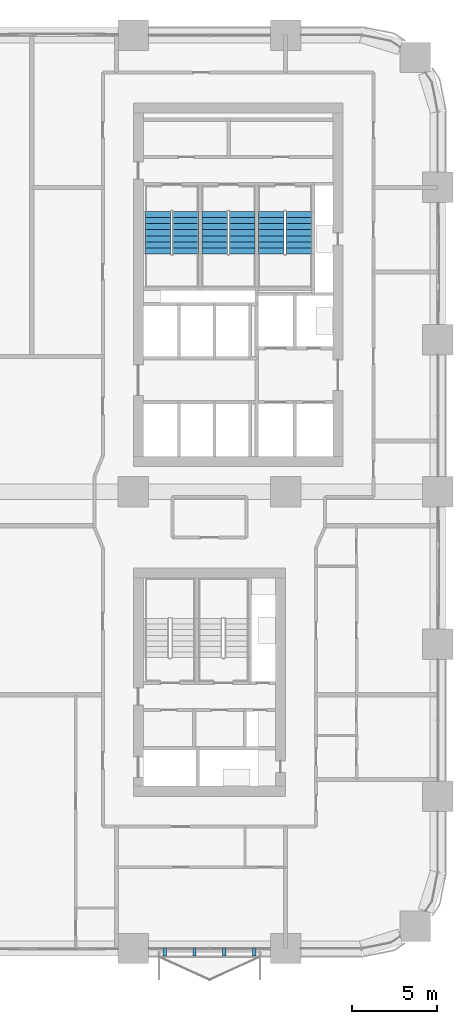
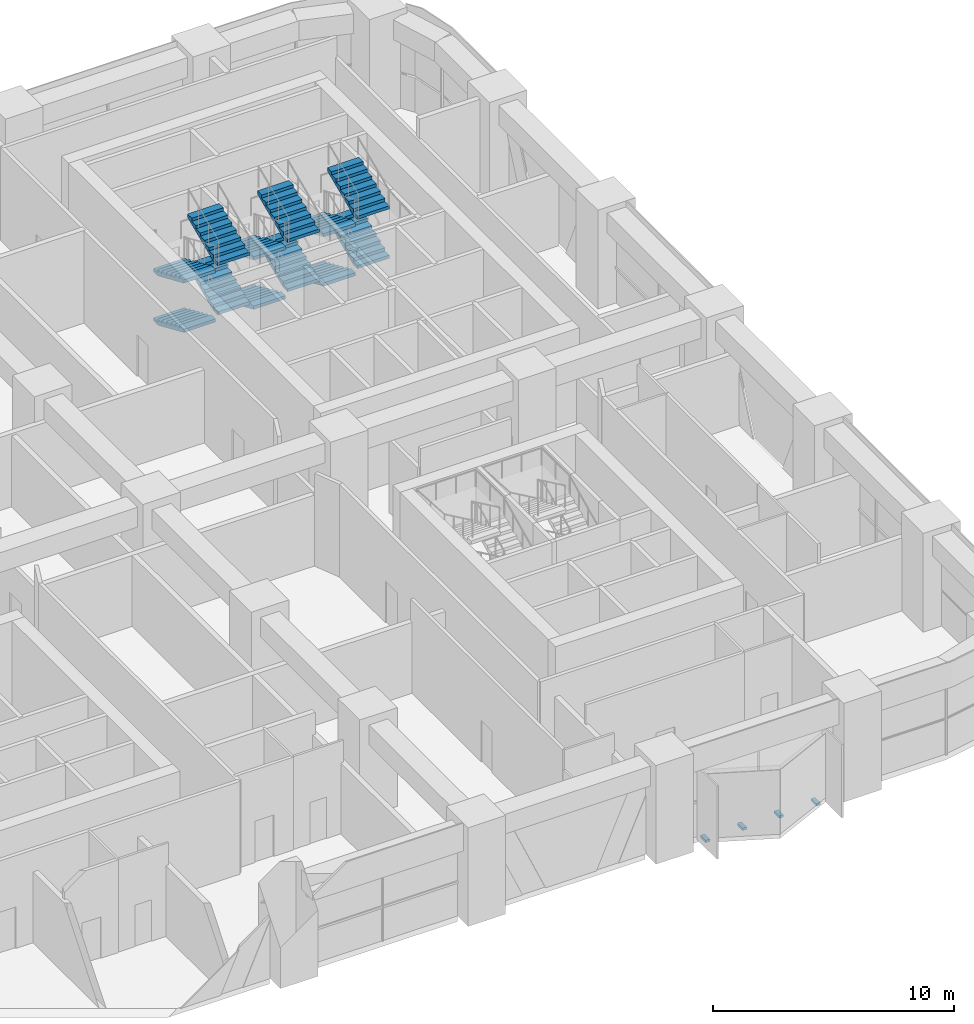
# One storey, part 22 of 26: 12 stair flights, 4 discrete accessories, 3 elements without a shape of their own.
"""IFC4 building model written with IfcOpenShell, lengths in metres."""

from ifc_helpers import new_model, si_unit, direction, frame, origin, origin_2d, place, context, subcontext, project, spatial, polyline, rectangle, outline, extrude, material, type_object, element, aggregate, save


model = new_model("IFC4")

# Units and contexts
model_context = context("Model", 3, precision=1e-05, world=origin(), true_north=direction((0.0, 1.0)))
body_context = subcontext(model_context, "Body", "Model", "MODEL_VIEW")
ifc_project = project(units=[si_unit("LENGTHUNIT", "METRE"), si_unit("AREAUNIT", "SQUARE_METRE"), si_unit("VOLUMEUNIT", "CUBIC_METRE"), si_unit("PLANEANGLEUNIT", "RADIAN"), si_unit("MASSUNIT", "GRAM", prefix="KILO")], contexts=[model_context])

# Site, building, storey
site_placement = place(None, origin())
site = spatial("IfcSite", under=ifc_project, at=site_placement, CompositionType="ELEMENT")
building_placement = place(site_placement, origin())
building = spatial("IfcBuilding", under=site, at=building_placement, Name="Tessera Arch", CompositionType="ELEMENT")
storey_placement = place(building_placement, frame((0.0, 0.0, 72.800048828125)))
storey = spatial("IfcBuildingStorey", under=building, at=storey_placement, Name="L16", CompositionType="ELEMENT", Elevation=72.800048828125)

# Stair, stair flights
ifc_material_1 = material(Name="Concrete C40/50", Category="concrete")
stair_type = type_object("IfcStairType", Name="Dogleg stair 1520", PredefinedType="HALF_TURN_STAIR", material=ifc_material_1)
stair_1_placement = place(storey_placement, origin())
stair_1 = element("IfcStair", 1, at=stair_1_placement, inside=storey, type_object=stair_type, Name="L16 S1a", PredefinedType="HALF_TURN_STAIR")
ifc_material_2 = material(Name="Concrete C40/50", Category="concrete")
stair_flight_type = type_object("IfcStairFlightType", Name="Stair flight 1520", PredefinedType="STRAIGHT", material=ifc_material_2)
stair_flight_1_placement = place(storey_placement, frame((37.4599609375, 43.580078125, 0.0), z_axis=(0.0, 0.0, 1.0), x_axis=(0.0, -1.0, 0.0)))
stair_flight_1 = element("IfcStairFlight", 2, at=stair_flight_1_placement, type_object=stair_flight_type, Name="S1a flight 1", NumberOfRisers=8, NumberOfTreads=7, PredefinedType="STRAIGHT", RiserHeight=0.15625, TreadLength=0.36, context=body_context, shape_type="SweptSolid", body=[
    extrude(outline(polyline([(0.0, 0.0), (0.0, 0.15625), (0.360107421875, 0.15625), (0.360107421875, 0.3125), (0.719970703125, 0.3125), (0.719970703125, 0.46875), (1.080078125, 0.46875), (1.080078125, 0.625), (1.43994140625, 0.625), (1.43994140625, 0.78125), (1.800048828125, 0.78125), (1.800048828125, 0.9375), (2.159912109375, 0.9375), (2.159912109375, 1.09375), (2.52001953125, 1.09375), (2.52001953125, 1.25), (2.52001953125, 0.930419921875), (0.37646484375, 0.0), (0.0, 0.0)])), frame((0.0, 0.760009765625, 0.0), z_axis=(0.0, -1.0, 0.0), x_axis=(1.0, 0.0, 0.0)), (0.0, 0.0, 1.0), 1.52001953125),
])
stair_flight_2_placement = place(storey_placement, frame((39.090087890625, 41.06005859375, 1.25), z_axis=(0.0, 0.0, 1.0), x_axis=(0.0, 1.0, 0.0)))
stair_flight_2 = element("IfcStairFlight", 3, at=stair_flight_2_placement, type_object=stair_flight_type, Name="S1a flight 2", NumberOfRisers=8, NumberOfTreads=7, PredefinedType="STRAIGHT", RiserHeight=0.15625, TreadLength=0.36, context=body_context, shape_type="SweptSolid", body=[
    extrude(outline(polyline([(0.0, 0.0), (0.0, 0.15625), (0.360107421875, 0.15625), (0.360107421875, 0.3125), (0.719970703125, 0.3125), (0.719970703125, 0.46875), (1.080078125, 0.46875), (1.080078125, 0.625), (1.43994140625, 0.625), (1.43994140625, 0.78125), (1.800048828125, 0.78125), (1.800048828125, 0.9375), (2.159912109375, 0.9375), (2.159912109375, 1.09375), (2.52001953125, 1.09375), (2.52001953125, 1.25), (2.52001953125, 0.930419921875), (0.37646484375, 0.0), (0.0, 0.0)])), frame((0.0, 0.760009765625, 0.0), z_axis=(0.0, -1.0, 0.0), x_axis=(1.0, 0.0, 0.0)), (0.0, 0.0, 1.0), 1.52001953125),
])
stair_flight_3_placement = place(storey_placement, frame((37.4599609375, 43.580078125, 2.5), z_axis=(0.0, 0.0, 1.0), x_axis=(0.0, -1.0, 0.0)))
stair_flight_3 = element("IfcStairFlight", 4, at=stair_flight_3_placement, type_object=stair_flight_type, Name="S1a flight 3", NumberOfRisers=8, NumberOfTreads=7, PredefinedType="STRAIGHT", RiserHeight=0.15625, TreadLength=0.36, context=body_context, shape_type="SweptSolid", body=[
    extrude(outline(polyline([(0.0, 0.0), (0.0, 0.15625), (0.360107421875, 0.15625), (0.360107421875, 0.3125), (0.719970703125, 0.3125), (0.719970703125, 0.46875), (1.080078125, 0.46875), (1.080078125, 0.625), (1.43994140625, 0.625), (1.43994140625, 0.78125), (1.800048828125, 0.78125), (1.800048828125, 0.9375), (2.159912109375, 0.9375), (2.159912109375, 1.09375), (2.52001953125, 1.09375), (2.52001953125, 1.25), (2.52001953125, 0.930419921875), (0.37646484375, 0.0), (0.0, 0.0)])), frame((0.0, 0.760009765625, 0.0), z_axis=(0.0, -1.0, 0.0), x_axis=(1.0, 0.0, 0.0)), (0.0, 0.0, 1.0), 1.52001953125),
])
stair_flight_4_placement = place(storey_placement, frame((39.090087890625, 41.06005859375, 3.75), z_axis=(0.0, 0.0, 1.0), x_axis=(0.0, 1.0, 0.0)))
stair_flight_4 = element("IfcStairFlight", 5, at=stair_flight_4_placement, type_object=stair_flight_type, Name="S1a flight 4", NumberOfRisers=8, NumberOfTreads=7, PredefinedType="STRAIGHT", RiserHeight=0.15625, TreadLength=0.36, context=body_context, shape_type="SweptSolid", body=[
    extrude(outline(polyline([(0.0, 0.0), (0.0, 0.15625), (0.360107421875, 0.15625), (0.360107421875, 0.3125), (0.719970703125, 0.3125), (0.719970703125, 0.46875), (1.080078125, 0.46875), (1.080078125, 0.625), (1.43994140625, 0.625), (1.43994140625, 0.78125), (1.800048828125, 0.78125), (1.800048828125, 0.9375), (2.159912109375, 0.9375), (2.159912109375, 1.09375), (2.52001953125, 1.09375), (2.52001953125, 1.25), (2.52001953125, 0.930419921875), (0.37646484375, 0.0), (0.0, 0.0)])), frame((0.0, 0.760009765625, 0.0), z_axis=(0.0, -1.0, 0.0), x_axis=(1.0, 0.0, 0.0)), (0.0, 0.0, 1.0), 1.52001953125),
])
aggregate(stair_1, [stair_flight_1, stair_flight_2, stair_flight_3, stair_flight_4])

stair_2_placement = place(storey_placement, origin())
stair_2 = element("IfcStair", 6, at=stair_2_placement, inside=storey, type_object=stair_type, Name="L16 S1b", PredefinedType="HALF_TURN_STAIR")
stair_flight_5_placement = place(storey_placement, frame((40.81005859375, 43.580078125, 0.0), z_axis=(0.0, 0.0, 1.0), x_axis=(0.0, -1.0, 0.0)))
stair_flight_5 = element("IfcStairFlight", 7, at=stair_flight_5_placement, type_object=stair_flight_type, Name="S1b flight 1", NumberOfRisers=8, NumberOfTreads=7, PredefinedType="STRAIGHT", RiserHeight=0.15625, TreadLength=0.36, context=body_context, shape_type="SweptSolid", body=[
    extrude(outline(polyline([(0.0, 0.0), (0.0, 0.15625), (0.360107421875, 0.15625), (0.360107421875, 0.3125), (0.719970703125, 0.3125), (0.719970703125, 0.46875), (1.080078125, 0.46875), (1.080078125, 0.625), (1.43994140625, 0.625), (1.43994140625, 0.78125), (1.800048828125, 0.78125), (1.800048828125, 0.9375), (2.159912109375, 0.9375), (2.159912109375, 1.09375), (2.52001953125, 1.09375), (2.52001953125, 1.25), (2.52001953125, 0.930419921875), (0.37646484375, 0.0), (0.0, 0.0)])), frame((0.0, 0.760009765625, 0.0), z_axis=(0.0, -1.0, 0.0), x_axis=(1.0, 0.0, 0.0)), (0.0, 0.0, 1.0), 1.52001953125),
])
stair_flight_6_placement = place(storey_placement, frame((42.43994140625, 41.06005859375, 1.25), z_axis=(0.0, 0.0, 1.0), x_axis=(0.0, 1.0, 0.0)))
stair_flight_6 = element("IfcStairFlight", 8, at=stair_flight_6_placement, type_object=stair_flight_type, Name="S1b flight 2", NumberOfRisers=8, NumberOfTreads=7, PredefinedType="STRAIGHT", RiserHeight=0.15625, TreadLength=0.36, context=body_context, shape_type="SweptSolid", body=[
    extrude(outline(polyline([(0.0, 0.0), (0.0, 0.15625), (0.360107421875, 0.15625), (0.360107421875, 0.3125), (0.719970703125, 0.3125), (0.719970703125, 0.46875), (1.080078125, 0.46875), (1.080078125, 0.625), (1.43994140625, 0.625), (1.43994140625, 0.78125), (1.800048828125, 0.78125), (1.800048828125, 0.9375), (2.159912109375, 0.9375), (2.159912109375, 1.09375), (2.52001953125, 1.09375), (2.52001953125, 1.25), (2.52001953125, 0.930419921875), (0.37646484375, 0.0), (0.0, 0.0)])), frame((0.0, 0.760009765625, 0.0), z_axis=(0.0, -1.0, 0.0), x_axis=(1.0, 0.0, 0.0)), (0.0, 0.0, 1.0), 1.52001953125),
])
stair_flight_7_placement = place(storey_placement, frame((40.81005859375, 43.580078125, 2.5), z_axis=(0.0, 0.0, 1.0), x_axis=(0.0, -1.0, 0.0)))
stair_flight_7 = element("IfcStairFlight", 9, at=stair_flight_7_placement, type_object=stair_flight_type, Name="S1b flight 3", NumberOfRisers=8, NumberOfTreads=7, PredefinedType="STRAIGHT", RiserHeight=0.15625, TreadLength=0.36, context=body_context, shape_type="SweptSolid", body=[
    extrude(outline(polyline([(0.0, 0.0), (0.0, 0.15625), (0.360107421875, 0.15625), (0.360107421875, 0.3125), (0.719970703125, 0.3125), (0.719970703125, 0.46875), (1.080078125, 0.46875), (1.080078125, 0.625), (1.43994140625, 0.625), (1.43994140625, 0.78125), (1.800048828125, 0.78125), (1.800048828125, 0.9375), (2.159912109375, 0.9375), (2.159912109375, 1.09375), (2.52001953125, 1.09375), (2.52001953125, 1.25), (2.52001953125, 0.930419921875), (0.37646484375, 0.0), (0.0, 0.0)])), frame((0.0, 0.760009765625, 0.0), z_axis=(0.0, -1.0, 0.0), x_axis=(1.0, 0.0, 0.0)), (0.0, 0.0, 1.0), 1.52001953125),
])
stair_flight_8_placement = place(storey_placement, frame((42.43994140625, 41.06005859375, 3.75), z_axis=(0.0, 0.0, 1.0), x_axis=(0.0, 1.0, 0.0)))
stair_flight_8 = element("IfcStairFlight", 10, at=stair_flight_8_placement, type_object=stair_flight_type, Name="S1b flight 4", NumberOfRisers=8, NumberOfTreads=7, PredefinedType="STRAIGHT", RiserHeight=0.15625, TreadLength=0.36, context=body_context, shape_type="SweptSolid", body=[
    extrude(outline(polyline([(0.0, 0.0), (0.0, 0.15625), (0.360107421875, 0.15625), (0.360107421875, 0.3125), (0.719970703125, 0.3125), (0.719970703125, 0.46875), (1.080078125, 0.46875), (1.080078125, 0.625), (1.43994140625, 0.625), (1.43994140625, 0.78125), (1.800048828125, 0.78125), (1.800048828125, 0.9375), (2.159912109375, 0.9375), (2.159912109375, 1.09375), (2.52001953125, 1.09375), (2.52001953125, 1.25), (2.52001953125, 0.930419921875), (0.37646484375, 0.0), (0.0, 0.0)])), frame((0.0, 0.760009765625, 0.0), z_axis=(0.0, -1.0, 0.0), x_axis=(1.0, 0.0, 0.0)), (0.0, 0.0, 1.0), 1.52001953125),
])
aggregate(stair_2, [stair_flight_5, stair_flight_6, stair_flight_7, stair_flight_8])

stair_3_placement = place(storey_placement, origin())
stair_3 = element("IfcStair", 11, at=stair_3_placement, inside=storey, type_object=stair_type, Name="L16 S1c", PredefinedType="HALF_TURN_STAIR")
stair_flight_9_placement = place(storey_placement, frame((44.159912109375, 43.580078125, 0.0), z_axis=(0.0, 0.0, 1.0), x_axis=(0.0, -1.0, 0.0)))
stair_flight_9 = element("IfcStairFlight", 12, at=stair_flight_9_placement, type_object=stair_flight_type, Name="S1c flight 1", NumberOfRisers=8, NumberOfTreads=7, PredefinedType="STRAIGHT", RiserHeight=0.15625, TreadLength=0.36, context=body_context, shape_type="SweptSolid", body=[
    extrude(outline(polyline([(0.0, 0.0), (0.0, 0.15625), (0.360107421875, 0.15625), (0.360107421875, 0.3125), (0.719970703125, 0.3125), (0.719970703125, 0.46875), (1.080078125, 0.46875), (1.080078125, 0.625), (1.43994140625, 0.625), (1.43994140625, 0.78125), (1.800048828125, 0.78125), (1.800048828125, 0.9375), (2.159912109375, 0.9375), (2.159912109375, 1.09375), (2.52001953125, 1.09375), (2.52001953125, 1.25), (2.52001953125, 0.930419921875), (0.37646484375, 0.0), (0.0, 0.0)])), frame((0.0, 0.760009765625, 0.0), z_axis=(0.0, -1.0, 0.0), x_axis=(1.0, 0.0, 0.0)), (0.0, 0.0, 1.0), 1.52001953125),
])
stair_flight_10_placement = place(storey_placement, frame((45.7900390625, 41.06005859375, 1.25), z_axis=(0.0, 0.0, 1.0), x_axis=(0.0, 1.0, 0.0)))
stair_flight_10 = element("IfcStairFlight", 13, at=stair_flight_10_placement, type_object=stair_flight_type, Name="S1c flight 2", NumberOfRisers=8, NumberOfTreads=7, PredefinedType="STRAIGHT", RiserHeight=0.15625, TreadLength=0.36, context=body_context, shape_type="SweptSolid", body=[
    extrude(outline(polyline([(0.0, 0.0), (0.0, 0.15625), (0.360107421875, 0.15625), (0.360107421875, 0.3125), (0.719970703125, 0.3125), (0.719970703125, 0.46875), (1.080078125, 0.46875), (1.080078125, 0.625), (1.43994140625, 0.625), (1.43994140625, 0.78125), (1.800048828125, 0.78125), (1.800048828125, 0.9375), (2.159912109375, 0.9375), (2.159912109375, 1.09375), (2.52001953125, 1.09375), (2.52001953125, 1.25), (2.52001953125, 0.930419921875), (0.37646484375, 0.0), (0.0, 0.0)])), frame((0.0, 0.760009765625, 0.0), z_axis=(0.0, -1.0, 0.0), x_axis=(1.0, 0.0, 0.0)), (0.0, 0.0, 1.0), 1.52001953125),
])
stair_flight_11_placement = place(storey_placement, frame((44.159912109375, 43.580078125, 2.5), z_axis=(0.0, 0.0, 1.0), x_axis=(0.0, -1.0, 0.0)))
stair_flight_11 = element("IfcStairFlight", 14, at=stair_flight_11_placement, type_object=stair_flight_type, Name="S1c flight 3", NumberOfRisers=8, NumberOfTreads=7, PredefinedType="STRAIGHT", RiserHeight=0.15625, TreadLength=0.36, context=body_context, shape_type="SweptSolid", body=[
    extrude(outline(polyline([(0.0, 0.0), (0.0, 0.15625), (0.360107421875, 0.15625), (0.360107421875, 0.3125), (0.719970703125, 0.3125), (0.719970703125, 0.46875), (1.080078125, 0.46875), (1.080078125, 0.625), (1.43994140625, 0.625), (1.43994140625, 0.78125), (1.800048828125, 0.78125), (1.800048828125, 0.9375), (2.159912109375, 0.9375), (2.159912109375, 1.09375), (2.52001953125, 1.09375), (2.52001953125, 1.25), (2.52001953125, 0.930419921875), (0.37646484375, 0.0), (0.0, 0.0)])), frame((0.0, 0.760009765625, 0.0), z_axis=(0.0, -1.0, 0.0), x_axis=(1.0, 0.0, 0.0)), (0.0, 0.0, 1.0), 1.52001953125),
])
stair_flight_12_placement = place(storey_placement, frame((45.7900390625, 41.06005859375, 3.75), z_axis=(0.0, 0.0, 1.0), x_axis=(0.0, 1.0, 0.0)))
stair_flight_12 = element("IfcStairFlight", 15, at=stair_flight_12_placement, type_object=stair_flight_type, Name="S1c flight 4", NumberOfRisers=8, NumberOfTreads=7, PredefinedType="STRAIGHT", RiserHeight=0.15625, TreadLength=0.36, context=body_context, shape_type="SweptSolid", body=[
    extrude(outline(polyline([(0.0, 0.0), (0.0, 0.15625), (0.360107421875, 0.15625), (0.360107421875, 0.3125), (0.719970703125, 0.3125), (0.719970703125, 0.46875), (1.080078125, 0.46875), (1.080078125, 0.625), (1.43994140625, 0.625), (1.43994140625, 0.78125), (1.800048828125, 0.78125), (1.800048828125, 0.9375), (2.159912109375, 0.9375), (2.159912109375, 1.09375), (2.52001953125, 1.09375), (2.52001953125, 1.25), (2.52001953125, 0.930419921875), (0.37646484375, 0.0), (0.0, 0.0)])), frame((0.0, 0.760009765625, 0.0), z_axis=(0.0, -1.0, 0.0), x_axis=(1.0, 0.0, 0.0)), (0.0, 0.0, 1.0), 1.52001953125),
])
aggregate(stair_3, [stair_flight_9, stair_flight_10, stair_flight_11, stair_flight_12])

# Discrete accessories
for number, where, z_axis, x_axis, name in (
    (16, (37.85009765625, -0.219970703125, -0.1201171875), (0.0, 0.0, 1.0), (0.0, -1.0, 0.0), "Window box bracket"),
    (17, (39.61669921875, -0.219970703125, -0.1201171875), (0.0, 0.0, 1.0), (0.0, -1.0, 0.0), "Window box bracket"),
    (18, (41.38330078125, -0.219970703125, -0.1201171875), (0.0, 0.0, 1.0), (0.0, -1.0, 0.0), "Window box bracket"),
    (19, (43.14990234375, -0.219970703125, -0.1201171875), (0.0, 0.0, 1.0), (0.0, -1.0, 0.0), "Window box bracket"),
):
    element("IfcDiscreteAccessory", number, at=place(storey_placement, frame(where, z_axis=z_axis, x_axis=x_axis)), inside=storey, Name=name, PredefinedType="BRACKET", context=body_context, shape_type="SweptSolid", body=[
        extrude(rectangle(XDim=0.43994140625, YDim=0.199951171875, at=origin_2d()), origin(), (0.0, 0.0, 1.0), 0.1201171875),
    ])

save(model, "model.ifc")
